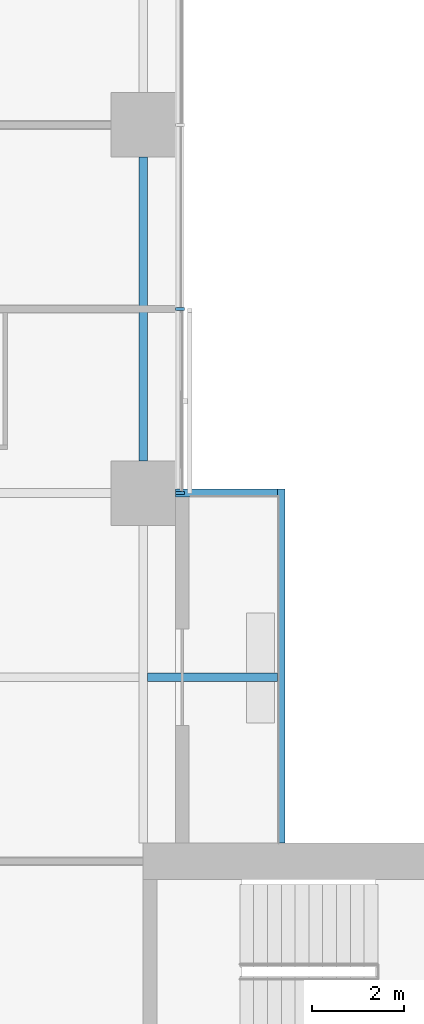
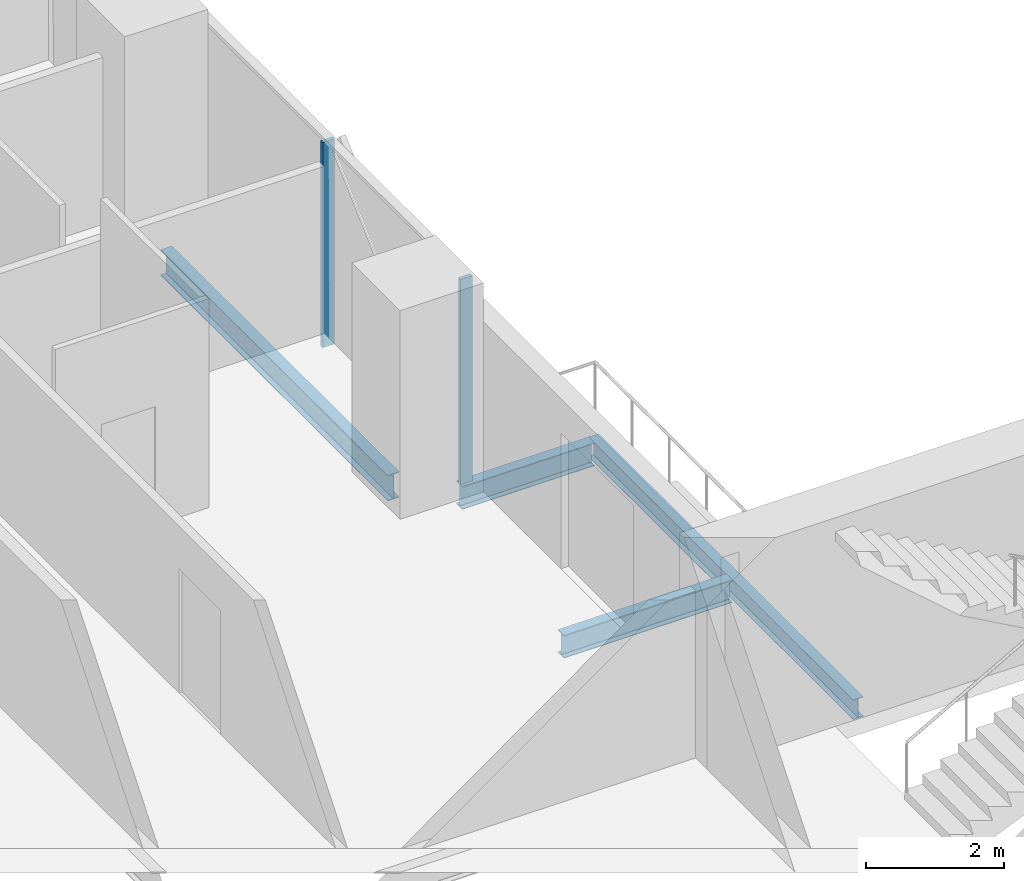
# One storey, part 10 of 27: 4 beams, 2 members, 1 element without a shape of its own.
"""IFC4 building model written with IfcOpenShell, lengths in metres."""

from ifc_helpers import new_model, si_unit, direction, frame, origin, origin_2d, place, context, subcontext, project, spatial, rectangle, i_section, extrude, material, material_profile, profile_set, type_object, element, aggregate, save


model = new_model("IFC4")

# Units and contexts
model_context = context("Model", 3, precision=1e-05, world=origin(), true_north=direction((0.0, 1.0)))
body_context = subcontext(model_context, "Body", "Model", "MODEL_VIEW")
ifc_project = project(units=[si_unit("LENGTHUNIT", "METRE"), si_unit("AREAUNIT", "SQUARE_METRE"), si_unit("VOLUMEUNIT", "CUBIC_METRE"), si_unit("PLANEANGLEUNIT", "RADIAN"), si_unit("MASSUNIT", "GRAM", prefix="KILO")], contexts=[model_context])

# Site, building, storey
site_placement = place(None, origin())
site = spatial("IfcSite", under=ifc_project, at=site_placement, CompositionType="ELEMENT")
building_placement = place(site_placement, origin())
building = spatial("IfcBuilding", under=site, at=building_placement, Name="Crosswind Convention Tower", CompositionType="ELEMENT")
storey_placement = place(building_placement, frame((0.0, 0.0, 75.699951171875)))
storey = spatial("IfcBuildingStorey", under=building, at=storey_placement, Name="L13", CompositionType="ELEMENT", Elevation=75.699951171875)

# Beams
ifc_material_1 = material(Name="Steel S355", Category="steel")
ifc_material_profile_1 = material_profile(ifc_material_1, i_section(OverallWidth=0.177734375, OverallDepth=0.406494140625, WebThickness=0.0078125, FlangeThickness=0.0126953125, FilletRadius=0.01025390625, at=origin_2d()), Name="UB 406x178x60")
ifc_profile_set_1 = profile_set([ifc_material_profile_1], Name="Steel S355")
beam_type_1 = type_object("IfcBeamType", Name="Balcony cantilever UB 406x178x60", PredefinedType="BEAM", material=ifc_profile_set_1)
beam_1_placement = place(storey_placement, frame((137.09521484375, 116.0, -0.483154296875), z_axis=(1.0, 0.0, 0.0), x_axis=(0.0, 1.0, 0.0)))
element("IfcBeam", 1, at=beam_1_placement, inside=storey, type_object=beam_type_1, Name="B35 L13 balcony cantilever NE 1", PredefinedType="BEAM", context=body_context, shape_type="SweptSolid", body=[
    extrude(i_section(OverallWidth=0.177734375, OverallDepth=0.406494140625, WebThickness=0.0078125, FlangeThickness=0.0126953125, FilletRadius=0.01025390625, at=origin_2d()), origin(), (0.0, 0.0, 1.0), 2.8193359375),
])
beam_2_placement = place(storey_placement, frame((137.699951171875, 120.0, -0.483154296875), z_axis=(1.0, 0.0, 0.0), x_axis=(0.0, 1.0, 0.0)))
element("IfcBeam", 2, at=beam_2_placement, inside=storey, type_object=beam_type_1, Name="B35 L13 balcony cantilever NE 2", PredefinedType="BEAM", context=body_context, shape_type="SweptSolid", body=[
    extrude(i_section(OverallWidth=0.177734375, OverallDepth=0.406494140625, WebThickness=0.0078125, FlangeThickness=0.0126953125, FilletRadius=0.01025390625, at=origin_2d()), origin(), (0.0, 0.0, 1.0), 2.214599609375),
])
ifc_material_profile_2 = material_profile(ifc_material_1, i_section(OverallWidth=0.1708984375, OverallDepth=0.35205078125, WebThickness=0.0068359375, FlangeThickness=0.009765625, FilletRadius=0.01025390625, at=origin_2d()), Name="UB 356x171x45")
ifc_profile_set_2 = profile_set([ifc_material_profile_2], Name="Steel S355")
beam_type_2 = type_object("IfcBeamType", Name="Balcony edge beam UB 356x171x45", PredefinedType="BEAM", material=ifc_profile_set_2)
beam_3_placement = place(storey_placement, frame((140.0, 112.39990234375, -0.4560546875), z_axis=(0.0, 1.0, 0.0), x_axis=(-1.0, 0.0, 0.0)))
element("IfcBeam", 3, at=beam_3_placement, inside=storey, type_object=beam_type_2, Name="B37 L13 balcony edge beam NE 3", PredefinedType="BEAM", context=body_context, shape_type="SweptSolid", body=[
    extrude(i_section(OverallWidth=0.1708984375, OverallDepth=0.35205078125, WebThickness=0.0068359375, FlangeThickness=0.009765625, FilletRadius=0.01025390625, at=origin_2d()), origin(), (0.0, 0.0, 1.0), 7.68896484375),
])
ifc_material_profile_3 = material_profile(ifc_material_1, i_section(OverallWidth=0.1904296875, OverallDepth=0.457275390625, WebThickness=0.009033203125, FlangeThickness=0.014404296875, FilletRadius=0.01025390625, at=origin_2d()), Name="UB 457x191x75")
ifc_profile_set_3 = profile_set([ifc_material_profile_3], Name="Steel S355")
beam_type_3 = type_object("IfcBeamType", Name="Edge beam UB 457x191x75", PredefinedType="SPANDREL", material=ifc_profile_set_3)
beam_4_placement = place(storey_placement, frame((137.0, 120.699951171875, -0.508544921875), z_axis=(0.0, 1.0, 0.0), x_axis=(-1.0, 0.0, 0.0)))
element("IfcBeam", 4, at=beam_4_placement, inside=storey, type_object=beam_type_3, Name="B17 L13 edge beam 22", PredefinedType="SPANDREL", context=body_context, shape_type="SweptSolid", body=[
    extrude(i_section(OverallWidth=0.1904296875, OverallDepth=0.457275390625, WebThickness=0.009033203125, FlangeThickness=0.014404296875, FilletRadius=0.01025390625, at=origin_2d()), origin(), (0.0, 0.0, 1.0), 6.60009765625),
])

# Curtain wall, members
ifc_material_2 = material(Name="Aluminium unitised curtain wall", Category="aluminium")
curtain_wall_type = type_object("IfcCurtainWallType", Name="HOTEL UNITISED WALL 200", PredefinedType="USERDEFINED", material=ifc_material_2)
curtain_wall_placement = place(storey_placement, origin())
curtain_wall = element("IfcCurtainWall", 5, at=curtain_wall_placement, inside=storey, type_object=curtain_wall_type, Name="CW2 L13 N-E 1", ObjectType="UNITISED", PredefinedType="USERDEFINED")
ifc_material_3 = material(Name="Aluminium mullion", Category="aluminium")
ifc_material_profile_4 = material_profile(ifc_material_3, rectangle(XDim=0.199951171875, YDim=0.06494140625, at=origin_2d()), Name="AL 200X65")
ifc_profile_set_4 = profile_set([ifc_material_profile_4], Name="Aluminium mullion")
member_type = type_object("IfcMemberType", Name="MULLION 65X200", PredefinedType="MULLION", material=ifc_profile_set_4)
member_1_placement = place(storey_placement, frame((137.800048828125, 120.0, -0.280029296875), z_axis=(0.0, 0.0, 1.0), x_axis=(1.0, 0.0, 0.0)))
member_1 = element("IfcMember", 6, at=member_1_placement, type_object=member_type, Name="CW2 mullion 1", PredefinedType="MULLION", context=body_context, shape_type="SweptSolid", body=[
    extrude(rectangle(XDim=0.199951171875, YDim=0.06494140625, at=origin_2d()), origin(), (0.0, 0.0, 1.0), 3.635009765625),
])
member_2_placement = place(storey_placement, frame((137.800048828125, 124.0, -0.280029296875), z_axis=(0.0, 0.0, 1.0), x_axis=(1.0, 0.0, 0.0)))
member_2 = element("IfcMember", 7, at=member_2_placement, type_object=member_type, Name="CW2 mullion 2", PredefinedType="MULLION", context=body_context, shape_type="SweptSolid", body=[
    extrude(rectangle(XDim=0.199951171875, YDim=0.06494140625, at=origin_2d()), origin(), (0.0, 0.0, 1.0), 3.635009765625),
])
aggregate(curtain_wall, [member_1, member_2])

save(model, "model.ifc")
